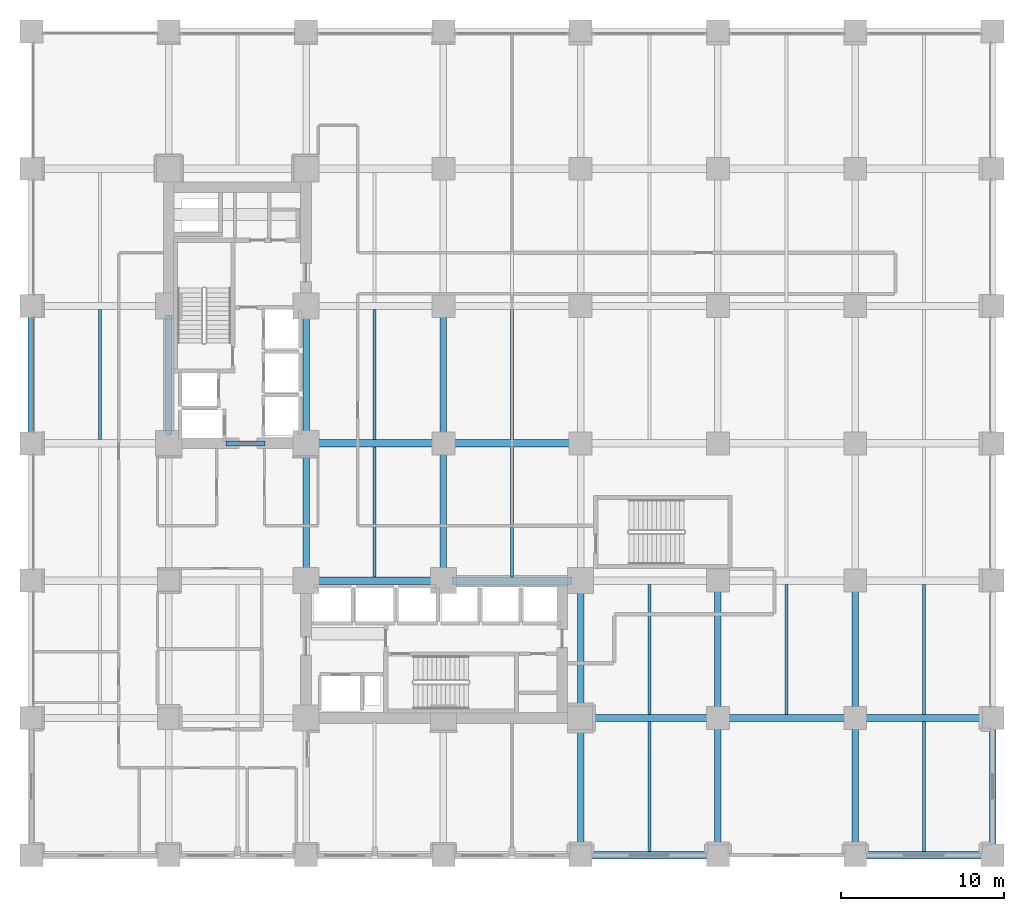
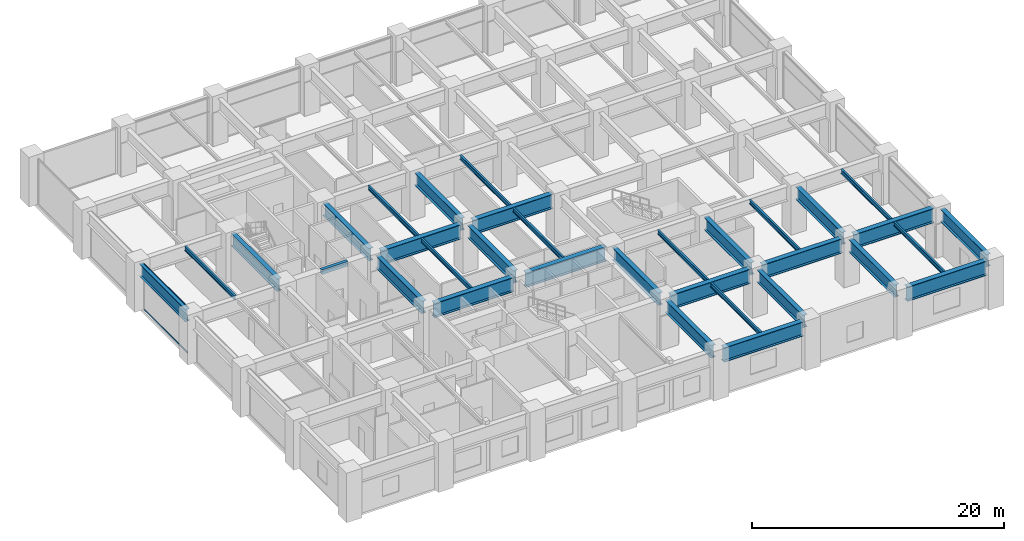
# One storey, part 5 of 24: 33 beams, 2 members, 1 element without a shape of its own.
"""IFC4 building model written with IfcOpenShell, lengths in metres."""

from ifc_helpers import new_model, si_unit, direction, frame, origin, origin_2d, place, context, subcontext, project, spatial, rectangle, hollow_rectangle, i_section, extrude, material, layer, layer_set, material_profile, profile_set, type_object, element, aggregate, save


model = new_model("IFC4")

# Units and contexts
model_context = context("Model", 3, precision=1e-05, world=origin(), true_north=direction((0.0, 1.0)))
body_context = subcontext(model_context, "Body", "Model", "MODEL_VIEW")
ifc_project = project(units=[si_unit("LENGTHUNIT", "METRE"), si_unit("AREAUNIT", "SQUARE_METRE"), si_unit("VOLUMEUNIT", "CUBIC_METRE"), si_unit("PLANEANGLEUNIT", "RADIAN"), si_unit("MASSUNIT", "GRAM", prefix="KILO")], contexts=[model_context])

# Site, building, storey
site_placement = place(None, origin())
site = spatial("IfcSite", under=ifc_project, at=site_placement, CompositionType="ELEMENT")
building_placement = place(site_placement, origin())
building = spatial("IfcBuilding", under=site, at=building_placement, Name="Nerrivon Quay Data Exchange", CompositionType="ELEMENT")
storey_placement = place(building_placement, frame((0.0, 0.0, 15.0)))
storey = spatial("IfcBuildingStorey", under=building, at=storey_placement, Name="L03", CompositionType="ELEMENT", Elevation=15.0)

# Beams
ifc_material_1 = material(Name="Steel Grade 350", Category="steel")
ifc_material_profile_1 = material_profile(ifc_material_1, i_section(OverallWidth=0.177978515625, OverallDepth=0.406005859375, WebThickness=0.0078125, FlangeThickness=0.0126953125, FilletRadius=0.011474609375, at=origin_2d()), Name="410UB59.7")
ifc_profile_set_1 = profile_set([ifc_material_profile_1], Name="Steel Grade 350")
beam_type_1 = type_object("IfcBeamType", Name="BM-J1-410UB60", PredefinedType="JOIST", material=ifc_profile_set_1)
beam_1_placement = place(storey_placement, frame((4.199951171875, 25.425048828125, 4.2470703125), z_axis=(0.0, 1.0, 0.0), x_axis=(-1.0, 0.0, 0.0)))
element("IfcBeam", 1, at=beam_1_placement, inside=storey, type_object=beam_type_1, Name="L03 Secondary Joist X=4.2 (25.2..33.6)", PredefinedType="JOIST", context=body_context, shape_type="SweptSolid", body=[
    extrude(i_section(OverallWidth=0.177978515625, OverallDepth=0.406005859375, WebThickness=0.0078125, FlangeThickness=0.0126953125, FilletRadius=0.011474609375, at=origin_2d()), origin(), (0.0, 0.0, 1.0), 7.949951171875),
])
beam_2_placement = place(storey_placement, frame((21.0, 17.02490234375, 4.2470703125), z_axis=(0.0, 1.0, 0.0), x_axis=(-1.0, 0.0, 0.0)))
element("IfcBeam", 2, at=beam_2_placement, inside=storey, type_object=beam_type_1, Name="L03 Secondary Joist X=21.0 (16.8..25.2)", PredefinedType="JOIST", context=body_context, shape_type="SweptSolid", body=[
    extrude(i_section(OverallWidth=0.177978515625, OverallDepth=0.406005859375, WebThickness=0.0078125, FlangeThickness=0.0126953125, FilletRadius=0.011474609375, at=origin_2d()), origin(), (0.0, 0.0, 1.0), 7.9501953125),
])
beam_3_placement = place(storey_placement, frame((21.0, 25.425048828125, 4.2470703125), z_axis=(0.0, 1.0, 0.0), x_axis=(-1.0, 0.0, 0.0)))
element("IfcBeam", 3, at=beam_3_placement, inside=storey, type_object=beam_type_1, Name="L03 Secondary Joist X=21.0 (25.2..33.6)", PredefinedType="JOIST", context=body_context, shape_type="SweptSolid", body=[
    extrude(i_section(OverallWidth=0.177978515625, OverallDepth=0.406005859375, WebThickness=0.0078125, FlangeThickness=0.0126953125, FilletRadius=0.011474609375, at=origin_2d()), origin(), (0.0, 0.0, 1.0), 7.949951171875),
])
beam_4_placement = place(storey_placement, frame((29.39990234375, 17.02490234375, 4.2470703125), z_axis=(0.0, 1.0, 0.0), x_axis=(-1.0, 0.0, 0.0)))
element("IfcBeam", 4, at=beam_4_placement, inside=storey, type_object=beam_type_1, Name="L03 Secondary Joist X=29.4 (16.8..25.2)", PredefinedType="JOIST", context=body_context, shape_type="SweptSolid", body=[
    extrude(i_section(OverallWidth=0.177978515625, OverallDepth=0.406005859375, WebThickness=0.0078125, FlangeThickness=0.0126953125, FilletRadius=0.011474609375, at=origin_2d()), origin(), (0.0, 0.0, 1.0), 7.9501953125),
])
for number, where, z_axis, x_axis, name in (
    (5, (29.39990234375, 25.425048828125, 4.2470703125), (0.0, 1.0, 0.0), (-1.0, 0.0, 0.0), "L03 Secondary Joist X=29.4 (25.2..33.6)"),
    (6, (37.800048828125, 0.22509765625, 4.2470703125), (0.0, 1.0, 0.0), (-1.0, 0.0, 0.0), "L03 Secondary Joist X=37.8 (0.0..8.4)"),
    (7, (37.800048828125, 8.625, 4.2470703125), (0.0, 1.0, 0.0), (-1.0, 0.0, 0.0), "L03 Secondary Joist X=37.8 (8.4..16.8)"),
    (8, (46.199951171875, 8.625, 4.2470703125), (0.0, 1.0, 0.0), (-1.0, 0.0, 0.0), "L03 Secondary Joist X=46.2 (8.4..16.8)"),
    (9, (54.60009765625, 0.22509765625, 4.2470703125), (0.0, 1.0, 0.0), (-1.0, 0.0, 0.0), "L03 Secondary Joist X=54.6 (0.0..8.4)"),
    (10, (54.60009765625, 8.625, 4.2470703125), (0.0, 1.0, 0.0), (-1.0, 0.0, 0.0), "L03 Secondary Joist X=54.6 (8.4..16.8)"),
):
    element("IfcBeam", number, at=place(storey_placement, frame(where, z_axis=z_axis, x_axis=x_axis)), inside=storey, type_object=beam_type_1, Name=name, PredefinedType="JOIST", context=body_context, shape_type="SweptSolid", body=[
        extrude(i_section(OverallWidth=0.177978515625, OverallDepth=0.406005859375, WebThickness=0.0078125, FlangeThickness=0.0126953125, FilletRadius=0.011474609375, at=origin_2d()), origin(), (0.0, 0.0, 1.0), 7.949951171875),
    ])
ifc_material_2 = material(Name="Concrete N50 (50 MPa)", Category="concrete")
ifc_material_profile_2 = material_profile(ifc_material_2, rectangle(XDim=0.300048828125, YDim=0.449951171875, at=origin_2d()), Name="RC-LNT-300x450")
ifc_profile_set_2 = profile_set([ifc_material_profile_2], Name="Concrete N50 (50 MPa)")
beam_type_2 = type_object("IfcBeamType", Name="BM-LNT-300x450", PredefinedType="LINTEL", material=ifc_profile_set_2)
beam_5_placement = place(storey_placement, frame((11.89990234375, 25.199951171875, 4.22509765625), z_axis=(1.0, 0.0, 0.0), x_axis=(0.0, 1.0, 0.0)))
element("IfcBeam", 11, at=beam_5_placement, inside=storey, type_object=beam_type_2, Name="L03 Core Threshold RC Lintel", PredefinedType="LINTEL", context=body_context, shape_type="SweptSolid", body=[
    extrude(rectangle(XDim=0.300048828125, YDim=0.449951171875, at=origin_2d()), origin(), (0.0, 0.0, 1.0), 2.400146484375),
])
ifc_material_profile_3 = material_profile(ifc_material_1, i_section(OverallWidth=0.449951171875, OverallDepth=1.39990234375, WebThickness=0.02001953125, FlangeThickness=0.0400390625, at=origin_2d()), Name="1400WG455")
ifc_profile_set_3 = profile_set([ifc_material_profile_3], Name="Steel Grade 350")
beam_type_3 = type_object("IfcBeamType", Name="BM-TG1-1400WG", PredefinedType="USERDEFINED", material=ifc_profile_set_3)
for number, where, z_axis, x_axis, name in (
    (12, (34.139892578125, 0.0, 3.75), (1.0, 0.0, 0.0), (0.0, 1.0, 0.0), "L03 EW Girder Y=0.0 (33.6..42.0)"),
    (13, (50.93994140625, 0.0, 3.75), (1.0, 0.0, 0.0), (0.0, 1.0, 0.0), "L03 EW Girder Y=0.0 (50.4..58.8)"),
    (14, (34.139892578125, 8.39990234375, 3.75), (1.0, 0.0, 0.0), (0.0, 1.0, 0.0), "L03 EW Girder Y=8.4 (33.6..42.0)"),
    (15, (42.5400390625, 8.39990234375, 3.75), (1.0, 0.0, 0.0), (0.0, 1.0, 0.0), "L03 EW Girder Y=8.4 (42.0..50.4)"),
    (16, (50.93994140625, 8.39990234375, 3.75), (1.0, 0.0, 0.0), (0.0, 1.0, 0.0), "L03 EW Girder Y=8.4 (50.4..58.8)"),
):
    element("IfcBeam", number, at=place(storey_placement, frame(where, z_axis=z_axis, x_axis=x_axis)), inside=storey, type_object=beam_type_3, Name=name, ObjectType="TRANSFER", PredefinedType="USERDEFINED", context=body_context, shape_type="SweptSolid", body=[
        extrude(i_section(OverallWidth=0.449951171875, OverallDepth=1.39990234375, WebThickness=0.02001953125, FlangeThickness=0.0400390625, at=origin_2d()), origin(), (0.0, 0.0, 1.0), 7.320068359375),
    ])
beam_6_placement = place(storey_placement, frame((17.340087890625, 16.800048828125, 3.75), z_axis=(1.0, 0.0, 0.0), x_axis=(0.0, 1.0, 0.0)))
element("IfcBeam", 17, at=beam_6_placement, inside=storey, type_object=beam_type_3, Name="L03 EW Girder Y=16.8 (16.8..25.2)", ObjectType="TRANSFER", PredefinedType="USERDEFINED", context=body_context, shape_type="SweptSolid", body=[
    extrude(i_section(OverallWidth=0.449951171875, OverallDepth=1.39990234375, WebThickness=0.02001953125, FlangeThickness=0.0400390625, at=origin_2d()), origin(), (0.0, 0.0, 1.0), 7.31982421875),
])
beam_7_placement = place(storey_placement, frame((25.739990234375, 16.800048828125, 3.75), z_axis=(1.0, 0.0, 0.0), x_axis=(0.0, 1.0, 0.0)))
element("IfcBeam", 18, at=beam_7_placement, inside=storey, type_object=beam_type_3, Name="L03 EW Girder Y=16.8 (25.2..33.6)", ObjectType="TRANSFER", PredefinedType="USERDEFINED", context=body_context, shape_type="SweptSolid", body=[
    extrude(i_section(OverallWidth=0.449951171875, OverallDepth=1.39990234375, WebThickness=0.02001953125, FlangeThickness=0.0400390625, at=origin_2d()), origin(), (0.0, 0.0, 1.0), 7.320068359375),
])
beam_8_placement = place(storey_placement, frame((17.340087890625, 25.199951171875, 3.75), z_axis=(1.0, 0.0, 0.0), x_axis=(0.0, 1.0, 0.0)))
element("IfcBeam", 19, at=beam_8_placement, inside=storey, type_object=beam_type_3, Name="L03 EW Girder Y=25.2 (16.8..25.2)", ObjectType="TRANSFER", PredefinedType="USERDEFINED", context=body_context, shape_type="SweptSolid", body=[
    extrude(i_section(OverallWidth=0.449951171875, OverallDepth=1.39990234375, WebThickness=0.02001953125, FlangeThickness=0.0400390625, at=origin_2d()), origin(), (0.0, 0.0, 1.0), 7.31982421875),
])
beam_9_placement = place(storey_placement, frame((25.739990234375, 25.199951171875, 3.75), z_axis=(1.0, 0.0, 0.0), x_axis=(0.0, 1.0, 0.0)))
element("IfcBeam", 20, at=beam_9_placement, inside=storey, type_object=beam_type_3, Name="L03 EW Girder Y=25.2 (25.2..33.6)", ObjectType="TRANSFER", PredefinedType="USERDEFINED", context=body_context, shape_type="SweptSolid", body=[
    extrude(i_section(OverallWidth=0.449951171875, OverallDepth=1.39990234375, WebThickness=0.02001953125, FlangeThickness=0.0400390625, at=origin_2d()), origin(), (0.0, 0.0, 1.0), 7.320068359375),
])
ifc_material_profile_4 = material_profile(ifc_material_1, i_section(OverallWidth=0.39990234375, OverallDepth=1.199951171875, WebThickness=0.01611328125, FlangeThickness=0.031982421875, at=origin_2d()), Name="1200WB342")
ifc_profile_set_4 = profile_set([ifc_material_profile_4], Name="Steel Grade 350")
beam_type_4 = type_object("IfcBeamType", Name="BM-TG2-1200WB", PredefinedType="USERDEFINED", material=ifc_profile_set_4)
for number, where, z_axis, x_axis, name in (
    (21, (0.0, 25.739990234375, 3.85009765625), (0.0, 1.0, 0.0), (-1.0, 0.0, 0.0), "L03 NS Girder X=0.0 (25.2..33.6)"),
    (22, (8.39990234375, 25.739990234375, 3.85009765625), (0.0, 1.0, 0.0), (-1.0, 0.0, 0.0), "L03 NS Girder X=8.4 (25.2..33.6)"),
):
    element("IfcBeam", number, at=place(storey_placement, frame(where, z_axis=z_axis, x_axis=x_axis)), inside=storey, type_object=beam_type_4, Name=name, ObjectType="TRANSFER", PredefinedType="USERDEFINED", context=body_context, shape_type="SweptSolid", body=[
        extrude(i_section(OverallWidth=0.39990234375, OverallDepth=1.199951171875, WebThickness=0.01611328125, FlangeThickness=0.031982421875, at=origin_2d()), origin(), (0.0, 0.0, 1.0), 7.320068359375),
    ])
beam_10_placement = place(storey_placement, frame((16.800048828125, 17.340087890625, 3.85009765625), z_axis=(0.0, 1.0, 0.0), x_axis=(-1.0, 0.0, 0.0)))
element("IfcBeam", 23, at=beam_10_placement, inside=storey, type_object=beam_type_4, Name="L03 NS Girder X=16.8 (16.8..25.2)", ObjectType="TRANSFER", PredefinedType="USERDEFINED", context=body_context, shape_type="SweptSolid", body=[
    extrude(i_section(OverallWidth=0.39990234375, OverallDepth=1.199951171875, WebThickness=0.01611328125, FlangeThickness=0.031982421875, at=origin_2d()), origin(), (0.0, 0.0, 1.0), 7.31982421875),
])
beam_11_placement = place(storey_placement, frame((16.800048828125, 25.739990234375, 3.85009765625), z_axis=(0.0, 1.0, 0.0), x_axis=(-1.0, 0.0, 0.0)))
element("IfcBeam", 24, at=beam_11_placement, inside=storey, type_object=beam_type_4, Name="L03 NS Girder X=16.8 (25.2..33.6)", ObjectType="TRANSFER", PredefinedType="USERDEFINED", context=body_context, shape_type="SweptSolid", body=[
    extrude(i_section(OverallWidth=0.39990234375, OverallDepth=1.199951171875, WebThickness=0.01611328125, FlangeThickness=0.031982421875, at=origin_2d()), origin(), (0.0, 0.0, 1.0), 7.320068359375),
])
beam_12_placement = place(storey_placement, frame((25.199951171875, 17.340087890625, 3.85009765625), z_axis=(0.0, 1.0, 0.0), x_axis=(-1.0, 0.0, 0.0)))
element("IfcBeam", 25, at=beam_12_placement, inside=storey, type_object=beam_type_4, Name="L03 NS Girder X=25.2 (16.8..25.2)", ObjectType="TRANSFER", PredefinedType="USERDEFINED", context=body_context, shape_type="SweptSolid", body=[
    extrude(i_section(OverallWidth=0.39990234375, OverallDepth=1.199951171875, WebThickness=0.01611328125, FlangeThickness=0.031982421875, at=origin_2d()), origin(), (0.0, 0.0, 1.0), 7.31982421875),
])
for number, where, z_axis, x_axis, name in (
    (26, (25.199951171875, 25.739990234375, 3.85009765625), (0.0, 1.0, 0.0), (-1.0, 0.0, 0.0), "L03 NS Girder X=25.2 (25.2..33.6)"),
    (27, (33.60009765625, 0.5400390625, 3.85009765625), (0.0, 1.0, 0.0), (-1.0, 0.0, 0.0), "L03 NS Girder X=33.6 (0.0..8.4)"),
    (28, (33.60009765625, 8.93994140625, 3.85009765625), (0.0, 1.0, 0.0), (-1.0, 0.0, 0.0), "L03 NS Girder X=33.6 (8.4..16.8)"),
    (29, (42.0, 0.5400390625, 3.85009765625), (0.0, 1.0, 0.0), (-1.0, 0.0, 0.0), "L03 NS Girder X=42.0 (0.0..8.4)"),
    (30, (42.0, 8.93994140625, 3.85009765625), (0.0, 1.0, 0.0), (-1.0, 0.0, 0.0), "L03 NS Girder X=42.0 (8.4..16.8)"),
    (31, (50.39990234375, 0.5400390625, 3.85009765625), (0.0, 1.0, 0.0), (-1.0, 0.0, 0.0), "L03 NS Girder X=50.4 (0.0..8.4)"),
    (32, (50.39990234375, 8.93994140625, 3.85009765625), (0.0, 1.0, 0.0), (-1.0, 0.0, 0.0), "L03 NS Girder X=50.4 (8.4..16.8)"),
    (33, (58.800048828125, 0.5400390625, 3.85009765625), (0.0, 1.0, 0.0), (-1.0, 0.0, 0.0), "L03 NS Girder X=58.8 (0.0..8.4)"),
):
    element("IfcBeam", number, at=place(storey_placement, frame(where, z_axis=z_axis, x_axis=x_axis)), inside=storey, type_object=beam_type_4, Name=name, ObjectType="TRANSFER", PredefinedType="USERDEFINED", context=body_context, shape_type="SweptSolid", body=[
        extrude(i_section(OverallWidth=0.39990234375, OverallDepth=1.199951171875, WebThickness=0.01611328125, FlangeThickness=0.031982421875, at=origin_2d()), origin(), (0.0, 0.0, 1.0), 7.320068359375),
    ])

# Curtain wall, members
ifc_material_3 = material(Name="Anodised aluminium 6063-T6", Category="aluminium")
ifc_layer = layer(ifc_material_3, 0.239990234375)
ifc_layer_set = layer_set([ifc_layer], Name="Anodised aluminium 6063-T6")
curtain_wall_type = type_object("IfcCurtainWallType", Name="CW-SYS-03", PredefinedType="NOTDEFINED", material=ifc_layer_set)
curtain_wall_placement = place(storey_placement, origin())
curtain_wall = element("IfcCurtainWall", 34, at=curtain_wall_placement, inside=storey, type_object=curtain_wall_type, Name="L03 Unitised Curtain Wall 4", PredefinedType="NOTDEFINED")
ifc_material_profile_5 = material_profile(ifc_material_3, hollow_rectangle(XDim=0.06494140625, YDim=0.14990234375, WallThickness=0.00341796875, at=origin_2d()), Name="ALU-TRAN-150x65")
ifc_profile_set_5 = profile_set([ifc_material_profile_5], Name="Anodised aluminium 6063-T6")
member_type = type_object("IfcMemberType", Name="CWT-150x65", PredefinedType="USERDEFINED", material=ifc_profile_set_5)
member_1_placement = place(storey_placement, frame((0.139892578125, 25.97509765625, 0.032470703125), z_axis=(0.0, 1.0, 0.0), x_axis=(-1.0, 0.0, 0.0)))
member_1 = element("IfcMember", 35, at=member_1_placement, type_object=member_type, Name="CW03 transom 1.1", ObjectType="TRANSOM", PredefinedType="USERDEFINED", context=body_context, shape_type="SweptSolid", body=[
    extrude(hollow_rectangle(XDim=0.06494140625, YDim=0.14990234375, WallThickness=0.00341796875, at=origin_2d()), origin(), (0.0, 0.0, 1.0), 6.849853515625),
])
member_2_placement = place(storey_placement, frame((0.139892578125, 25.97509765625, 4.41748046875), z_axis=(0.0, 1.0, 0.0), x_axis=(-1.0, 0.0, 0.0)))
member_2 = element("IfcMember", 36, at=member_2_placement, type_object=member_type, Name="CW03 transom 1.2", ObjectType="TRANSOM", PredefinedType="USERDEFINED", context=body_context, shape_type="SweptSolid", body=[
    extrude(hollow_rectangle(XDim=0.06494140625, YDim=0.14990234375, WallThickness=0.00341796875, at=origin_2d()), origin(), (0.0, 0.0, 1.0), 6.849853515625),
])
aggregate(curtain_wall, [member_1, member_2])

save(model, "model.ifc")
